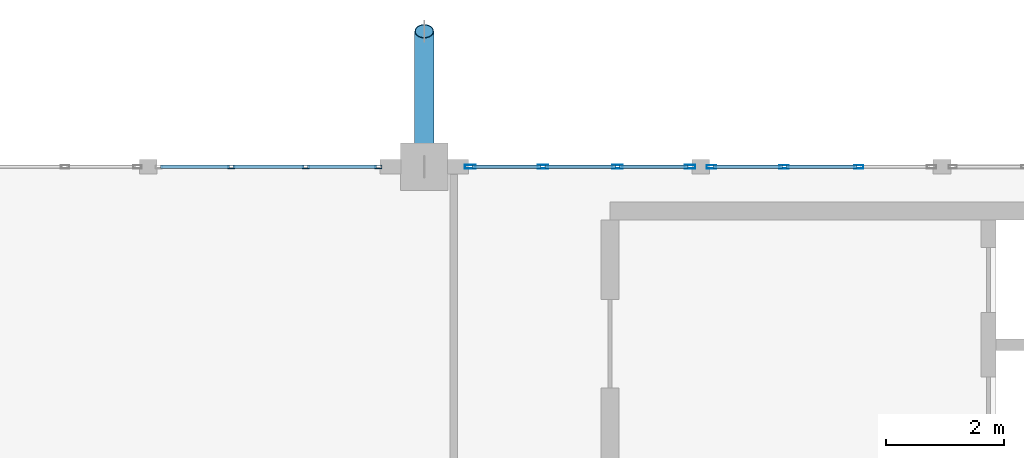
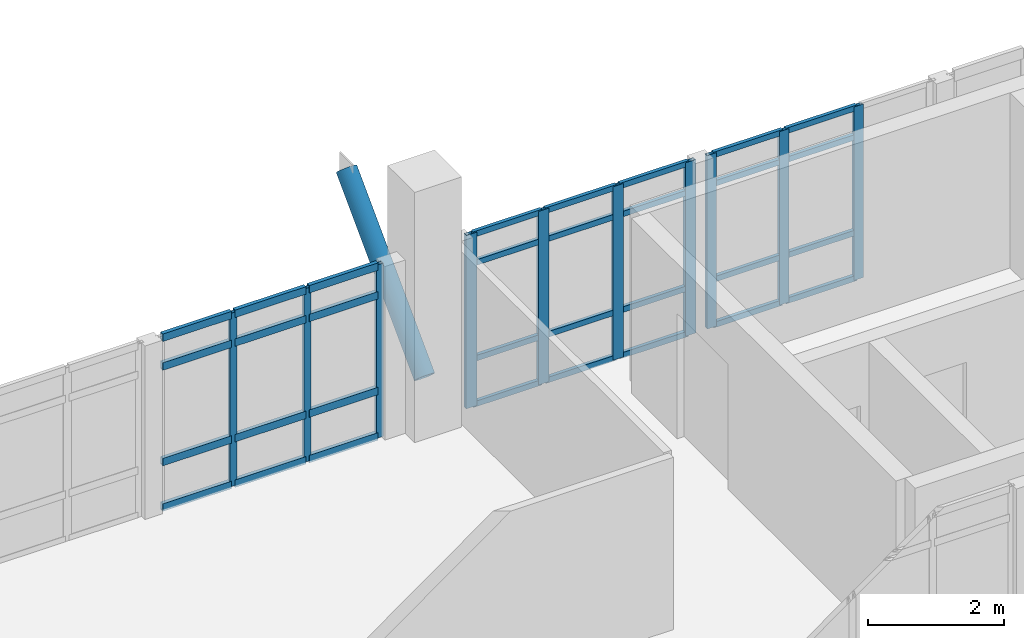
# One storey, part 21 of 37: 43 members, 3 elements without a shape of their own.
"""IFC4 building model written with IfcOpenShell, lengths in metres."""

from ifc_helpers import new_model, si_unit, direction, frame, origin, origin_2d, place, context, subcontext, project, spatial, hollow_rectangle, hollow_circle, extrude, material, layer, layer_set, material_profile, profile_set, type_object, element, aggregate, save


model = new_model("IFC4")

# Units and contexts
model_context = context("Model", 3, precision=1e-05, world=origin(), true_north=direction((0.0, 1.0)))
body_context = subcontext(model_context, "Body", "Model", "MODEL_VIEW")
ifc_project = project(units=[si_unit("LENGTHUNIT", "METRE"), si_unit("AREAUNIT", "SQUARE_METRE"), si_unit("VOLUMEUNIT", "CUBIC_METRE"), si_unit("PLANEANGLEUNIT", "RADIAN"), si_unit("MASSUNIT", "GRAM", prefix="KILO")], contexts=[model_context])

# Site, building, storey
site_placement = place(None, origin())
site = spatial("IfcSite", under=ifc_project, at=site_placement, CompositionType="ELEMENT")
building_placement = place(site_placement, origin())
building = spatial("IfcBuilding", under=site, at=building_placement, Name="Fikremerkos Civic Library", CompositionType="ELEMENT")
storey_placement = place(building_placement, frame((0.0, 0.0, 23.39990234375)))
storey = spatial("IfcBuildingStorey", under=building, at=storey_placement, Name="L05", CompositionType="ELEMENT", Elevation=23.39990234375)

# Curtain wall, members
ifc_material_1 = material(Name="Anodized aluminium Frame", Category="aluminium")
ifc_layer_1 = layer(ifc_material_1, 0.159912109375, Name="Anodized aluminium Frame")
ifc_layer_set_1 = layer_set([ifc_layer_1], Name="Anodized aluminium Frame")
curtain_wall_type_1 = type_object("IfcCurtainWallType", Name="Unitised curtain wall CW-05 3800x4100", PredefinedType="USERDEFINED", material=ifc_layer_set_1)
curtain_wall_1_placement = place(storey_placement, origin())
curtain_wall_1 = element("IfcCurtainWall", 1, at=curtain_wall_1_placement, inside=storey, type_object=curtain_wall_type_1, Name="Unitised curtain wall CW-05 L05 #275", ObjectType="UNITISED CURTAIN WALL", PredefinedType="USERDEFINED")
ifc_material_profile_1 = material_profile(ifc_material_1, hollow_rectangle(XDim=0.06494140625, YDim=0.179931640625, WallThickness=0.00439453125, at=origin_2d()), Name="ALU 180x65x4.5")
ifc_profile_set_1 = profile_set([ifc_material_profile_1], Name="Anodized aluminium Frame")
member_type_1 = type_object("IfcMemberType", Name="Curtain mullion CWM-01 ALU 180x65x4.5", PredefinedType="MULLION", material=ifc_profile_set_1)
member_1_placement = place(storey_placement, frame((100.98046875, 31.199951171875, 0.0), z_axis=(0.0, 0.0, 1.0), x_axis=(0.0, 1.0, 0.0)))
member_1 = element("IfcMember", 2, at=member_1_placement, type_object=member_type_1, Name="CW-05 mullion 1", PredefinedType="MULLION", context=body_context, shape_type="SweptSolid", body=[
    extrude(hollow_rectangle(XDim=0.06494140625, YDim=0.179931640625, WallThickness=0.00439453125, at=origin_2d()), origin(), (0.0, 0.0, 1.0), 3.1201171875),
])
member_2_placement = place(storey_placement, frame((102.21240234375, 31.199951171875, 0.0), z_axis=(0.0, 0.0, 1.0), x_axis=(0.0, 1.0, 0.0)))
member_2 = element("IfcMember", 3, at=member_2_placement, type_object=member_type_1, Name="CW-05 mullion 2", PredefinedType="MULLION", context=body_context, shape_type="SweptSolid", body=[
    extrude(hollow_rectangle(XDim=0.06494140625, YDim=0.179931640625, WallThickness=0.00439453125, at=origin_2d()), origin(), (0.0, 0.0, 1.0), 3.1201171875),
])
member_3_placement = place(storey_placement, frame((103.4765625, 31.199951171875, 0.0), z_axis=(0.0, 0.0, 1.0), x_axis=(0.0, 1.0, 0.0)))
member_3 = element("IfcMember", 4, at=member_3_placement, type_object=member_type_1, Name="CW-05 mullion 3", PredefinedType="MULLION", context=body_context, shape_type="SweptSolid", body=[
    extrude(hollow_rectangle(XDim=0.06494140625, YDim=0.179931640625, WallThickness=0.00439453125, at=origin_2d()), origin(), (0.0, 0.0, 1.0), 3.1201171875),
])
member_4_placement = place(storey_placement, frame((104.70849609375, 31.199951171875, 0.0), z_axis=(0.0, 0.0, 1.0), x_axis=(0.0, 1.0, 0.0)))
member_4 = element("IfcMember", 5, at=member_4_placement, type_object=member_type_1, Name="CW-05 mullion 4", PredefinedType="MULLION", context=body_context, shape_type="SweptSolid", body=[
    extrude(hollow_rectangle(XDim=0.06494140625, YDim=0.179931640625, WallThickness=0.00439453125, at=origin_2d()), origin(), (0.0, 0.0, 1.0), 3.1201171875),
])

ifc_layer_2 = layer(ifc_material_1, 0.159912109375, Name="Anodized aluminium Frame")
ifc_layer_set_2 = layer_set([ifc_layer_2], Name="Anodized aluminium Frame")
curtain_wall_type_2 = type_object("IfcCurtainWallType", Name="Unitised curtain wall CW-06 4200x4100", PredefinedType="USERDEFINED", material=ifc_layer_set_2)
curtain_wall_2_placement = place(storey_placement, origin())
curtain_wall_2 = element("IfcCurtainWall", 6, at=curtain_wall_2_placement, inside=storey, type_object=curtain_wall_type_2, Name="Unitised curtain wall CW-06 L05 #276", ObjectType="UNITISED CURTAIN WALL", PredefinedType="USERDEFINED")
ifc_material_profile_2 = material_profile(ifc_material_1, hollow_rectangle(XDim=0.06005859375, YDim=0.159912109375, WallThickness=0.00390625, at=origin_2d()), Name="ALU 160x60x4")
ifc_profile_set_2 = profile_set([ifc_material_profile_2], Name="Anodized aluminium Frame")
member_type_2 = type_object("IfcMemberType", Name="Curtain mullion CWM-02 ALU 160x60x4", PredefinedType="MULLION", material=ifc_profile_set_2)
member_5_placement = place(storey_placement, frame((105.071044921875, 31.199951171875, 0.0), z_axis=(0.0, 0.0, 1.0), x_axis=(0.0, 1.0, 0.0)))
member_5 = element("IfcMember", 7, at=member_5_placement, type_object=member_type_2, Name="CW-06 mullion 1", PredefinedType="MULLION", context=body_context, shape_type="SweptSolid", body=[
    extrude(hollow_rectangle(XDim=0.06005859375, YDim=0.159912109375, WallThickness=0.00390625, at=origin_2d()), origin(), (0.0, 0.0, 1.0), 3.1201171875),
])
member_6_placement = place(storey_placement, frame((106.305419921875, 31.199951171875, 0.0), z_axis=(0.0, 0.0, 1.0), x_axis=(0.0, 1.0, 0.0)))
member_6 = element("IfcMember", 8, at=member_6_placement, type_object=member_type_2, Name="CW-06 mullion 2", PredefinedType="MULLION", context=body_context, shape_type="SweptSolid", body=[
    extrude(hollow_rectangle(XDim=0.06005859375, YDim=0.159912109375, WallThickness=0.00390625, at=origin_2d()), origin(), (0.0, 0.0, 1.0), 3.1201171875),
])
member_7_placement = place(storey_placement, frame((107.569580078125, 31.199951171875, 0.0), z_axis=(0.0, 0.0, 1.0), x_axis=(0.0, 1.0, 0.0)))
member_7 = element("IfcMember", 9, at=member_7_placement, type_object=member_type_2, Name="CW-06 mullion 3", PredefinedType="MULLION", context=body_context, shape_type="SweptSolid", body=[
    extrude(hollow_rectangle(XDim=0.06005859375, YDim=0.159912109375, WallThickness=0.00390625, at=origin_2d()), origin(), (0.0, 0.0, 1.0), 3.1201171875),
])

ifc_layer_3 = layer(ifc_material_1, 0.159912109375, Name="Anodized aluminium Frame")
ifc_layer_set_3 = layer_set([ifc_layer_3], Name="Anodized aluminium Frame")
curtain_wall_type_3 = type_object("IfcCurtainWallType", Name="Unitised curtain wall CW-04 3400x3600", PredefinedType="USERDEFINED", material=ifc_layer_set_3)
curtain_wall_3_placement = place(storey_placement, origin())
curtain_wall_3 = element("IfcCurtainWall", 10, at=curtain_wall_3_placement, inside=storey, type_object=curtain_wall_type_3, Name="Unitised curtain wall CW-04 L05 #274", ObjectType="UNITISED CURTAIN WALL", PredefinedType="USERDEFINED")
ifc_material_profile_3 = material_profile(ifc_material_1, hollow_rectangle(XDim=0.06005859375, YDim=0.1201171875, WallThickness=0.00390625, at=origin_2d()), Name="ALU 120x60x4")
ifc_profile_set_3 = profile_set([ifc_material_profile_3], Name="Anodized aluminium Frame")
member_type_3 = type_object("IfcMemberType", Name="Curtain mullion CWM-04 ALU 120x60x4", PredefinedType="MULLION", material=ifc_profile_set_3)
member_8_placement = place(storey_placement, frame((96.928955078125, 31.199951171875, 0.0), z_axis=(0.0, 0.0, 1.0), x_axis=(0.0, 1.0, 0.0)))
member_8 = element("IfcMember", 11, at=member_8_placement, type_object=member_type_3, Name="CW-04 mullion 2", PredefinedType="MULLION", context=body_context, shape_type="SweptSolid", body=[
    extrude(hollow_rectangle(XDim=0.06005859375, YDim=0.1201171875, WallThickness=0.00390625, at=origin_2d()), origin(), (0.0, 0.0, 1.0), 3.1201171875),
])
member_9_placement = place(storey_placement, frame((98.1904296875, 31.199951171875, 0.0), z_axis=(0.0, 0.0, 1.0), x_axis=(0.0, 1.0, 0.0)))
member_9 = element("IfcMember", 12, at=member_9_placement, type_object=member_type_3, Name="CW-04 mullion 3", PredefinedType="MULLION", context=body_context, shape_type="SweptSolid", body=[
    extrude(hollow_rectangle(XDim=0.06005859375, YDim=0.1201171875, WallThickness=0.00390625, at=origin_2d()), origin(), (0.0, 0.0, 1.0), 3.1201171875),
])
member_10_placement = place(storey_placement, frame((99.422119140625, 31.199951171875, 0.0), z_axis=(0.0, 0.0, 1.0), x_axis=(0.0, 1.0, 0.0)))
member_10 = element("IfcMember", 13, at=member_10_placement, type_object=member_type_3, Name="CW-04 mullion 4", PredefinedType="MULLION", context=body_context, shape_type="SweptSolid", body=[
    extrude(hollow_rectangle(XDim=0.06005859375, YDim=0.1201171875, WallThickness=0.00390625, at=origin_2d()), origin(), (0.0, 0.0, 1.0), 3.1201171875),
])
ifc_material_profile_4 = material_profile(ifc_material_1, hollow_rectangle(XDim=0.06494140625, YDim=0.135009765625, WallThickness=0.00439453125, at=origin_2d()), Name="ALU 135x65x4.5")
ifc_profile_set_4 = profile_set([ifc_material_profile_4], Name="Anodized aluminium Frame")
member_type_4 = type_object("IfcMemberType", Name="Curtain transom CWT-02 ALU 135x65x4.5", PredefinedType="USERDEFINED", material=ifc_profile_set_4)
member_11_placement = place(storey_placement, frame((95.727294921875, 31.199951171875, 0.03271484375), z_axis=(1.0, 0.0, 0.0), x_axis=(0.0, 1.0, 0.0)))
member_11 = element("IfcMember", 14, at=member_11_placement, type_object=member_type_4, Name="CW-04 transom 1.1", ObjectType="TRANSOM", PredefinedType="USERDEFINED", context=body_context, shape_type="SweptSolid", body=[
    extrude(hollow_rectangle(XDim=0.06494140625, YDim=0.135009765625, WallThickness=0.00439453125, at=origin_2d()), origin(), (0.0, 0.0, 1.0), 1.171630859375),
])
member_12_placement = place(storey_placement, frame((95.727294921875, 31.199951171875, 0.85009765625), z_axis=(1.0, 0.0, 0.0), x_axis=(0.0, 1.0, 0.0)))
member_12 = element("IfcMember", 15, at=member_12_placement, type_object=member_type_4, Name="CW-04 transom 1.2", ObjectType="TRANSOM", PredefinedType="USERDEFINED", context=body_context, shape_type="SweptSolid", body=[
    extrude(hollow_rectangle(XDim=0.06494140625, YDim=0.135009765625, WallThickness=0.00439453125, at=origin_2d()), origin(), (0.0, 0.0, 1.0), 1.171630859375),
])
member_13_placement = place(storey_placement, frame((95.727294921875, 31.199951171875, 2.570068359375), z_axis=(1.0, 0.0, 0.0), x_axis=(0.0, 1.0, 0.0)))
member_13 = element("IfcMember", 16, at=member_13_placement, type_object=member_type_4, Name="CW-04 transom 1.3", ObjectType="TRANSOM", PredefinedType="USERDEFINED", context=body_context, shape_type="SweptSolid", body=[
    extrude(hollow_rectangle(XDim=0.06494140625, YDim=0.135009765625, WallThickness=0.00439453125, at=origin_2d()), origin(), (0.0, 0.0, 1.0), 1.171630859375),
])
member_14_placement = place(storey_placement, frame((95.727294921875, 31.199951171875, 3.087646484375), z_axis=(1.0, 0.0, 0.0), x_axis=(0.0, 1.0, 0.0)))
member_14 = element("IfcMember", 17, at=member_14_placement, type_object=member_type_4, Name="CW-04 transom 1.4", ObjectType="TRANSOM", PredefinedType="USERDEFINED", context=body_context, shape_type="SweptSolid", body=[
    extrude(hollow_rectangle(XDim=0.06494140625, YDim=0.135009765625, WallThickness=0.00439453125, at=origin_2d()), origin(), (0.0, 0.0, 1.0), 1.171630859375),
])
member_15_placement = place(storey_placement, frame((96.958984375, 31.199951171875, 0.03271484375), z_axis=(1.0, 0.0, 0.0), x_axis=(0.0, 1.0, 0.0)))
member_15 = element("IfcMember", 18, at=member_15_placement, type_object=member_type_4, Name="CW-04 transom 2.1", ObjectType="TRANSOM", PredefinedType="USERDEFINED", context=body_context, shape_type="SweptSolid", body=[
    extrude(hollow_rectangle(XDim=0.06494140625, YDim=0.135009765625, WallThickness=0.00439453125, at=origin_2d()), origin(), (0.0, 0.0, 1.0), 1.201416015625),
])
member_16_placement = place(storey_placement, frame((96.958984375, 31.199951171875, 0.85009765625), z_axis=(1.0, 0.0, 0.0), x_axis=(0.0, 1.0, 0.0)))
member_16 = element("IfcMember", 19, at=member_16_placement, type_object=member_type_4, Name="CW-04 transom 2.2", ObjectType="TRANSOM", PredefinedType="USERDEFINED", context=body_context, shape_type="SweptSolid", body=[
    extrude(hollow_rectangle(XDim=0.06494140625, YDim=0.135009765625, WallThickness=0.00439453125, at=origin_2d()), origin(), (0.0, 0.0, 1.0), 1.201416015625),
])
member_17_placement = place(storey_placement, frame((96.958984375, 31.199951171875, 2.570068359375), z_axis=(1.0, 0.0, 0.0), x_axis=(0.0, 1.0, 0.0)))
member_17 = element("IfcMember", 20, at=member_17_placement, type_object=member_type_4, Name="CW-04 transom 2.3", ObjectType="TRANSOM", PredefinedType="USERDEFINED", context=body_context, shape_type="SweptSolid", body=[
    extrude(hollow_rectangle(XDim=0.06494140625, YDim=0.135009765625, WallThickness=0.00439453125, at=origin_2d()), origin(), (0.0, 0.0, 1.0), 1.201416015625),
])
member_18_placement = place(storey_placement, frame((96.958984375, 31.199951171875, 3.087646484375), z_axis=(1.0, 0.0, 0.0), x_axis=(0.0, 1.0, 0.0)))
member_18 = element("IfcMember", 21, at=member_18_placement, type_object=member_type_4, Name="CW-04 transom 2.4", ObjectType="TRANSOM", PredefinedType="USERDEFINED", context=body_context, shape_type="SweptSolid", body=[
    extrude(hollow_rectangle(XDim=0.06494140625, YDim=0.135009765625, WallThickness=0.00439453125, at=origin_2d()), origin(), (0.0, 0.0, 1.0), 1.201416015625),
])
member_19_placement = place(storey_placement, frame((98.220458984375, 31.199951171875, 0.03271484375), z_axis=(1.0, 0.0, 0.0), x_axis=(0.0, 1.0, 0.0)))
member_19 = element("IfcMember", 22, at=member_19_placement, type_object=member_type_4, Name="CW-04 transom 3.1", ObjectType="TRANSOM", PredefinedType="USERDEFINED", context=body_context, shape_type="SweptSolid", body=[
    extrude(hollow_rectangle(XDim=0.06494140625, YDim=0.135009765625, WallThickness=0.00439453125, at=origin_2d()), origin(), (0.0, 0.0, 1.0), 1.171630859375),
])
member_20_placement = place(storey_placement, frame((98.220458984375, 31.199951171875, 0.85009765625), z_axis=(1.0, 0.0, 0.0), x_axis=(0.0, 1.0, 0.0)))
member_20 = element("IfcMember", 23, at=member_20_placement, type_object=member_type_4, Name="CW-04 transom 3.2", ObjectType="TRANSOM", PredefinedType="USERDEFINED", context=body_context, shape_type="SweptSolid", body=[
    extrude(hollow_rectangle(XDim=0.06494140625, YDim=0.135009765625, WallThickness=0.00439453125, at=origin_2d()), origin(), (0.0, 0.0, 1.0), 1.171630859375),
])
member_21_placement = place(storey_placement, frame((98.220458984375, 31.199951171875, 2.570068359375), z_axis=(1.0, 0.0, 0.0), x_axis=(0.0, 1.0, 0.0)))
member_21 = element("IfcMember", 24, at=member_21_placement, type_object=member_type_4, Name="CW-04 transom 3.3", ObjectType="TRANSOM", PredefinedType="USERDEFINED", context=body_context, shape_type="SweptSolid", body=[
    extrude(hollow_rectangle(XDim=0.06494140625, YDim=0.135009765625, WallThickness=0.00439453125, at=origin_2d()), origin(), (0.0, 0.0, 1.0), 1.171630859375),
])
member_22_placement = place(storey_placement, frame((98.220458984375, 31.199951171875, 3.087646484375), z_axis=(1.0, 0.0, 0.0), x_axis=(0.0, 1.0, 0.0)))
member_22 = element("IfcMember", 25, at=member_22_placement, type_object=member_type_4, Name="CW-04 transom 3.4", ObjectType="TRANSOM", PredefinedType="USERDEFINED", context=body_context, shape_type="SweptSolid", body=[
    extrude(hollow_rectangle(XDim=0.06494140625, YDim=0.135009765625, WallThickness=0.00439453125, at=origin_2d()), origin(), (0.0, 0.0, 1.0), 1.171630859375),
])
aggregate(curtain_wall_3, [member_8, member_9, member_10, member_11, member_12, member_13, member_14, member_15, member_16, member_17, member_18, member_19, member_20, member_21, member_22])

# Member
ifc_material_profile_5 = material_profile(ifc_material_1, hollow_rectangle(XDim=0.06005859375, YDim=0.10009765625, WallThickness=0.00390625, at=origin_2d()), Name="ALU 100x60x4")
ifc_profile_set_5 = profile_set([ifc_material_profile_5], Name="Anodized aluminium Frame")
member_type_5 = type_object("IfcMemberType", Name="Curtain transom CWT-03 ALU 100x60x4", PredefinedType="USERDEFINED", material=ifc_profile_set_5)
member_23_placement = place(storey_placement, frame((101.012939453125, 31.199951171875, 0.030029296875), z_axis=(1.0, 0.0, 0.0), x_axis=(0.0, 1.0, 0.0)))
member_23 = element("IfcMember", 26, at=member_23_placement, type_object=member_type_5, Name="CW-05 transom 1.1", ObjectType="TRANSOM", PredefinedType="USERDEFINED", context=body_context, shape_type="SweptSolid", body=[
    extrude(hollow_rectangle(XDim=0.06005859375, YDim=0.10009765625, WallThickness=0.00390625, at=origin_2d()), origin(), (0.0, 0.0, 1.0), 1.1669921875),
])

member_24_placement = place(storey_placement, frame((101.012939453125, 31.199951171875, 0.85009765625), z_axis=(1.0, 0.0, 0.0), x_axis=(0.0, 1.0, 0.0)))
member_24 = element("IfcMember", 27, at=member_24_placement, type_object=member_type_5, Name="CW-05 transom 1.2", ObjectType="TRANSOM", PredefinedType="USERDEFINED", context=body_context, shape_type="SweptSolid", body=[
    extrude(hollow_rectangle(XDim=0.06005859375, YDim=0.10009765625, WallThickness=0.00390625, at=origin_2d()), origin(), (0.0, 0.0, 1.0), 1.1669921875),
])

member_25_placement = place(storey_placement, frame((101.012939453125, 31.199951171875, 2.570068359375), z_axis=(1.0, 0.0, 0.0), x_axis=(0.0, 1.0, 0.0)))
member_25 = element("IfcMember", 28, at=member_25_placement, type_object=member_type_5, Name="CW-05 transom 1.3", ObjectType="TRANSOM", PredefinedType="USERDEFINED", context=body_context, shape_type="SweptSolid", body=[
    extrude(hollow_rectangle(XDim=0.06005859375, YDim=0.10009765625, WallThickness=0.00390625, at=origin_2d()), origin(), (0.0, 0.0, 1.0), 1.1669921875),
])

member_26_placement = place(storey_placement, frame((101.012939453125, 31.199951171875, 3.090087890625), z_axis=(1.0, 0.0, 0.0), x_axis=(0.0, 1.0, 0.0)))
member_26 = element("IfcMember", 29, at=member_26_placement, type_object=member_type_5, Name="CW-05 transom 1.4", ObjectType="TRANSOM", PredefinedType="USERDEFINED", context=body_context, shape_type="SweptSolid", body=[
    extrude(hollow_rectangle(XDim=0.06005859375, YDim=0.10009765625, WallThickness=0.00390625, at=origin_2d()), origin(), (0.0, 0.0, 1.0), 1.1669921875),
])

member_27_placement = place(storey_placement, frame((102.244873046875, 31.199951171875, 0.030029296875), z_axis=(1.0, 0.0, 0.0), x_axis=(0.0, 1.0, 0.0)))
member_27 = element("IfcMember", 30, at=member_27_placement, type_object=member_type_5, Name="CW-05 transom 2.1", ObjectType="TRANSOM", PredefinedType="USERDEFINED", context=body_context, shape_type="SweptSolid", body=[
    extrude(hollow_rectangle(XDim=0.06005859375, YDim=0.10009765625, WallThickness=0.00390625, at=origin_2d()), origin(), (0.0, 0.0, 1.0), 1.19921875),
])

member_28_placement = place(storey_placement, frame((102.244873046875, 31.199951171875, 0.85009765625), z_axis=(1.0, 0.0, 0.0), x_axis=(0.0, 1.0, 0.0)))
member_28 = element("IfcMember", 31, at=member_28_placement, type_object=member_type_5, Name="CW-05 transom 2.2", ObjectType="TRANSOM", PredefinedType="USERDEFINED", context=body_context, shape_type="SweptSolid", body=[
    extrude(hollow_rectangle(XDim=0.06005859375, YDim=0.10009765625, WallThickness=0.00390625, at=origin_2d()), origin(), (0.0, 0.0, 1.0), 1.19921875),
])

member_29_placement = place(storey_placement, frame((102.244873046875, 31.199951171875, 2.570068359375), z_axis=(1.0, 0.0, 0.0), x_axis=(0.0, 1.0, 0.0)))
member_29 = element("IfcMember", 32, at=member_29_placement, type_object=member_type_5, Name="CW-05 transom 2.3", ObjectType="TRANSOM", PredefinedType="USERDEFINED", context=body_context, shape_type="SweptSolid", body=[
    extrude(hollow_rectangle(XDim=0.06005859375, YDim=0.10009765625, WallThickness=0.00390625, at=origin_2d()), origin(), (0.0, 0.0, 1.0), 1.19921875),
])

member_30_placement = place(storey_placement, frame((102.244873046875, 31.199951171875, 3.090087890625), z_axis=(1.0, 0.0, 0.0), x_axis=(0.0, 1.0, 0.0)))
member_30 = element("IfcMember", 33, at=member_30_placement, type_object=member_type_5, Name="CW-05 transom 2.4", ObjectType="TRANSOM", PredefinedType="USERDEFINED", context=body_context, shape_type="SweptSolid", body=[
    extrude(hollow_rectangle(XDim=0.06005859375, YDim=0.10009765625, WallThickness=0.00390625, at=origin_2d()), origin(), (0.0, 0.0, 1.0), 1.19921875),
])

member_31_placement = place(storey_placement, frame((103.50927734375, 31.199951171875, 0.030029296875), z_axis=(1.0, 0.0, 0.0), x_axis=(0.0, 1.0, 0.0)))
member_31 = element("IfcMember", 34, at=member_31_placement, type_object=member_type_5, Name="CW-05 transom 3.1", ObjectType="TRANSOM", PredefinedType="USERDEFINED", context=body_context, shape_type="SweptSolid", body=[
    extrude(hollow_rectangle(XDim=0.06005859375, YDim=0.10009765625, WallThickness=0.00390625, at=origin_2d()), origin(), (0.0, 0.0, 1.0), 1.166748046875),
])

member_32_placement = place(storey_placement, frame((103.50927734375, 31.199951171875, 0.85009765625), z_axis=(1.0, 0.0, 0.0), x_axis=(0.0, 1.0, 0.0)))
member_32 = element("IfcMember", 35, at=member_32_placement, type_object=member_type_5, Name="CW-05 transom 3.2", ObjectType="TRANSOM", PredefinedType="USERDEFINED", context=body_context, shape_type="SweptSolid", body=[
    extrude(hollow_rectangle(XDim=0.06005859375, YDim=0.10009765625, WallThickness=0.00390625, at=origin_2d()), origin(), (0.0, 0.0, 1.0), 1.166748046875),
])

member_33_placement = place(storey_placement, frame((103.50927734375, 31.199951171875, 2.570068359375), z_axis=(1.0, 0.0, 0.0), x_axis=(0.0, 1.0, 0.0)))
member_33 = element("IfcMember", 36, at=member_33_placement, type_object=member_type_5, Name="CW-05 transom 3.3", ObjectType="TRANSOM", PredefinedType="USERDEFINED", context=body_context, shape_type="SweptSolid", body=[
    extrude(hollow_rectangle(XDim=0.06005859375, YDim=0.10009765625, WallThickness=0.00390625, at=origin_2d()), origin(), (0.0, 0.0, 1.0), 1.166748046875),
])

member_34_placement = place(storey_placement, frame((103.50927734375, 31.199951171875, 3.090087890625), z_axis=(1.0, 0.0, 0.0), x_axis=(0.0, 1.0, 0.0)))
member_34 = element("IfcMember", 37, at=member_34_placement, type_object=member_type_5, Name="CW-05 transom 3.4", ObjectType="TRANSOM", PredefinedType="USERDEFINED", context=body_context, shape_type="SweptSolid", body=[
    extrude(hollow_rectangle(XDim=0.06005859375, YDim=0.10009765625, WallThickness=0.00390625, at=origin_2d()), origin(), (0.0, 0.0, 1.0), 1.166748046875),
])

aggregate(curtain_wall_1, [member_1, member_2, member_3, member_4, member_23, member_24, member_25, member_26, member_27, member_28, member_29, member_30, member_31, member_32, member_33, member_34])

member_35_placement = place(storey_placement, frame((105.10107421875, 31.199951171875, 0.030029296875), z_axis=(1.0, 0.0, 0.0), x_axis=(0.0, 1.0, 0.0)))
member_35 = element("IfcMember", 38, at=member_35_placement, type_object=member_type_5, Name="CW-06 transom 1.1", ObjectType="TRANSOM", PredefinedType="USERDEFINED", context=body_context, shape_type="SweptSolid", body=[
    extrude(hollow_rectangle(XDim=0.06005859375, YDim=0.10009765625, WallThickness=0.00390625, at=origin_2d()), origin(), (0.0, 0.0, 1.0), 1.17431640625),
])

member_36_placement = place(storey_placement, frame((105.10107421875, 31.199951171875, 0.85009765625), z_axis=(1.0, 0.0, 0.0), x_axis=(0.0, 1.0, 0.0)))
member_36 = element("IfcMember", 39, at=member_36_placement, type_object=member_type_5, Name="CW-06 transom 1.2", ObjectType="TRANSOM", PredefinedType="USERDEFINED", context=body_context, shape_type="SweptSolid", body=[
    extrude(hollow_rectangle(XDim=0.06005859375, YDim=0.10009765625, WallThickness=0.00390625, at=origin_2d()), origin(), (0.0, 0.0, 1.0), 1.17431640625),
])

member_37_placement = place(storey_placement, frame((105.10107421875, 31.199951171875, 2.570068359375), z_axis=(1.0, 0.0, 0.0), x_axis=(0.0, 1.0, 0.0)))
member_37 = element("IfcMember", 40, at=member_37_placement, type_object=member_type_5, Name="CW-06 transom 1.3", ObjectType="TRANSOM", PredefinedType="USERDEFINED", context=body_context, shape_type="SweptSolid", body=[
    extrude(hollow_rectangle(XDim=0.06005859375, YDim=0.10009765625, WallThickness=0.00390625, at=origin_2d()), origin(), (0.0, 0.0, 1.0), 1.17431640625),
])

member_38_placement = place(storey_placement, frame((105.10107421875, 31.199951171875, 3.090087890625), z_axis=(1.0, 0.0, 0.0), x_axis=(0.0, 1.0, 0.0)))
member_38 = element("IfcMember", 41, at=member_38_placement, type_object=member_type_5, Name="CW-06 transom 1.4", ObjectType="TRANSOM", PredefinedType="USERDEFINED", context=body_context, shape_type="SweptSolid", body=[
    extrude(hollow_rectangle(XDim=0.06005859375, YDim=0.10009765625, WallThickness=0.00390625, at=origin_2d()), origin(), (0.0, 0.0, 1.0), 1.17431640625),
])

member_39_placement = place(storey_placement, frame((106.33544921875, 31.199951171875, 0.030029296875), z_axis=(1.0, 0.0, 0.0), x_axis=(0.0, 1.0, 0.0)))
member_39 = element("IfcMember", 42, at=member_39_placement, type_object=member_type_5, Name="CW-06 transom 2.1", ObjectType="TRANSOM", PredefinedType="USERDEFINED", context=body_context, shape_type="SweptSolid", body=[
    extrude(hollow_rectangle(XDim=0.06005859375, YDim=0.10009765625, WallThickness=0.00390625, at=origin_2d()), origin(), (0.0, 0.0, 1.0), 1.2041015625),
])

member_40_placement = place(storey_placement, frame((106.33544921875, 31.199951171875, 0.85009765625), z_axis=(1.0, 0.0, 0.0), x_axis=(0.0, 1.0, 0.0)))
member_40 = element("IfcMember", 43, at=member_40_placement, type_object=member_type_5, Name="CW-06 transom 2.2", ObjectType="TRANSOM", PredefinedType="USERDEFINED", context=body_context, shape_type="SweptSolid", body=[
    extrude(hollow_rectangle(XDim=0.06005859375, YDim=0.10009765625, WallThickness=0.00390625, at=origin_2d()), origin(), (0.0, 0.0, 1.0), 1.2041015625),
])

member_41_placement = place(storey_placement, frame((106.33544921875, 31.199951171875, 2.570068359375), z_axis=(1.0, 0.0, 0.0), x_axis=(0.0, 1.0, 0.0)))
member_41 = element("IfcMember", 44, at=member_41_placement, type_object=member_type_5, Name="CW-06 transom 2.3", ObjectType="TRANSOM", PredefinedType="USERDEFINED", context=body_context, shape_type="SweptSolid", body=[
    extrude(hollow_rectangle(XDim=0.06005859375, YDim=0.10009765625, WallThickness=0.00390625, at=origin_2d()), origin(), (0.0, 0.0, 1.0), 1.2041015625),
])

member_42_placement = place(storey_placement, frame((106.33544921875, 31.199951171875, 3.090087890625), z_axis=(1.0, 0.0, 0.0), x_axis=(0.0, 1.0, 0.0)))
member_42 = element("IfcMember", 45, at=member_42_placement, type_object=member_type_5, Name="CW-06 transom 2.4", ObjectType="TRANSOM", PredefinedType="USERDEFINED", context=body_context, shape_type="SweptSolid", body=[
    extrude(hollow_rectangle(XDim=0.06005859375, YDim=0.10009765625, WallThickness=0.00390625, at=origin_2d()), origin(), (0.0, 0.0, 1.0), 1.2041015625),
])

aggregate(curtain_wall_2, [member_5, member_6, member_7, member_35, member_36, member_37, member_38, member_39, member_40, member_41, member_42])

ifc_material_2 = material(Name="Steel S355", Category="steel")
ifc_material_profile_6 = material_profile(ifc_material_2, hollow_circle(Radius=0.161865234375, WallThickness=0.012451171875, at=origin_2d()), Name="CHS 323.9x12.5")
ifc_profile_set_6 = profile_set([ifc_material_profile_6], Name="Steel S355")
member_type_6 = type_object("IfcMemberType", Name="Raking strut STR-03 CHS 323.9x12.5", PredefinedType="STRUT", material=ifc_profile_set_6)
member_43_placement = place(storey_placement, frame((100.199951171875, 31.199951171875, 0.800048828125), z_axis=(0.0, 0.69945578618, 0.714675872812), x_axis=(-1.0, 0.0, 0.0)))
element("IfcMember", 46, at=member_43_placement, inside=storey, type_object=member_type_6, Name="Raking valley overhang strut STR-03 L05 X=100.2", PredefinedType="STRUT", context=body_context, shape_type="SweptSolid", body=[
    extrude(hollow_circle(Radius=0.161865234375, WallThickness=0.012451171875, at=origin_2d()), origin(), (0.0, 0.0, 1.0), 3.288330078125),
])

save(model, "model.ifc")
